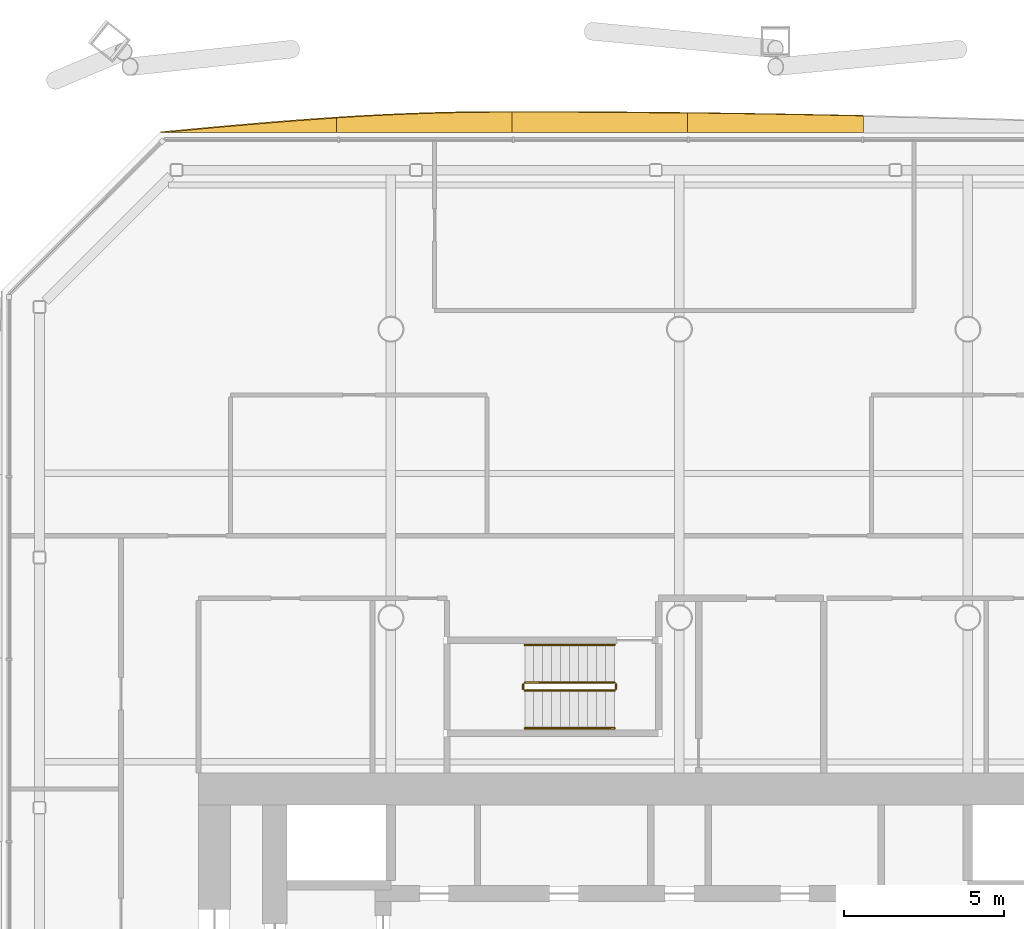
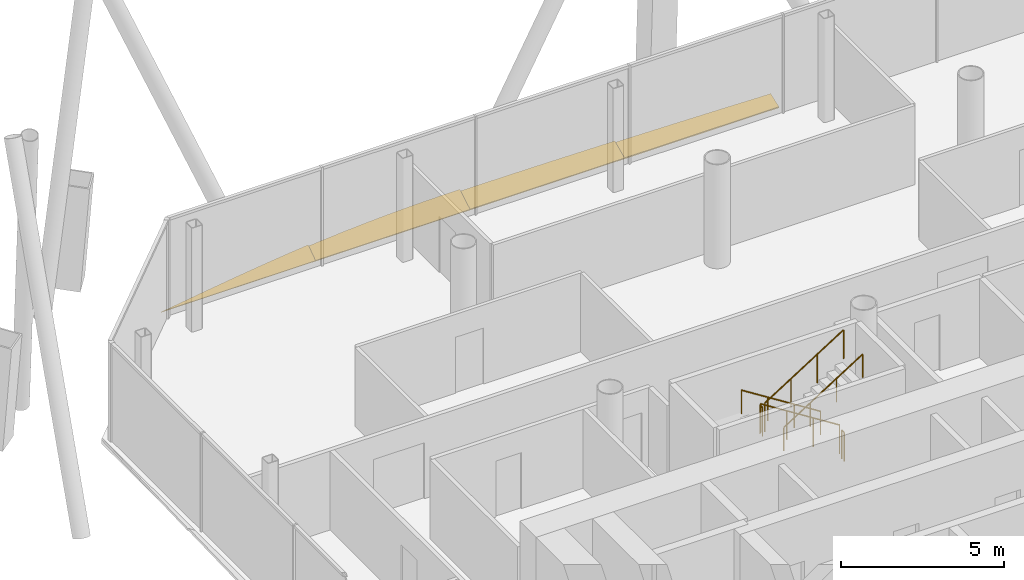
# One storey, part 21 of 22: 6 railings, 4 shading devices.
"""IFC4 building model written with IfcOpenShell, lengths in metres."""

from ifc_helpers import new_model, si_unit, direction, frame, origin, origin_2d, place, context, subcontext, project, spatial, polyline, circle, outline, extrude, material, layer, layer_set, type_object, element, save


model = new_model("IFC4")

# Units and contexts
model_context = context("Model", 3, precision=1e-05, world=origin(), true_north=direction((0.0, 1.0)))
body_context = subcontext(model_context, "Body", "Model", "MODEL_VIEW")
ifc_project = project(units=[si_unit("LENGTHUNIT", "METRE"), si_unit("AREAUNIT", "SQUARE_METRE"), si_unit("VOLUMEUNIT", "CUBIC_METRE"), si_unit("PLANEANGLEUNIT", "RADIAN"), si_unit("MASSUNIT", "GRAM", prefix="KILO")], contexts=[model_context])

# Site, building, storey
site_placement = place(None, origin())
site = spatial("IfcSite", under=ifc_project, at=site_placement, CompositionType="ELEMENT")
building_placement = place(site_placement, origin())
building = spatial("IfcBuilding", under=site, at=building_placement, Name="Tskaro Facet Tower", CompositionType="ELEMENT")
storey_placement = place(building_placement, frame((0.0, 0.0, 97.199951171875)))
storey = spatial("IfcBuildingStorey", under=building, at=storey_placement, Name="L23", CompositionType="ELEMENT", Elevation=97.199951171875)

# Shading devices
ifc_material_1 = material(Name="Bronze anodised aluminium 6063-T6", Category="aluminium")
ifc_layer = layer(ifc_material_1, 0.06005859375, Name="Bronze anodised aluminium 6063-T6")
ifc_layer_set = layer_set([ifc_layer], Name="Bronze anodised aluminium 6063-T6")
shading_device_type = type_object("IfcShadingDeviceType", Name="Bronze sun blade (FN1)", PredefinedType="USERDEFINED", material=ifc_layer_set)
shading_device_1_placement = place(storey_placement, frame((5.740966796875, 24.14453125, 0.056396484375), z_axis=(-4.900444e-06, -0.342141999103, 0.939648259949), x_axis=(-0.999999999988, 1.676648e-06, -4.604694e-06)))
element("IfcShadingDevice", 1, at=shading_device_1_placement, inside=storey, type_object=shading_device_type, Name="Fin blade north 4", ObjectType="FIN", PredefinedType="USERDEFINED", context=body_context, shape_type="SweptSolid", body=[
    extrude(outline(polyline([(0.0, 0.0), (5.481933593684177, -1.1608445921416052e-21), (5.481933594197145, -0.639641906060297), (4.796630858993865, -0.630610315950945), (4.111572265435951, -0.6207234453781905), (3.426269531149222, -0.6100648251035343), (2.7409667970641878, -0.5980921117385419), (2.0556640621604783, -0.5856605857466157), (1.3703613278678037, -0.5721443729778202), (0.6853027348111602, -0.5575434734321554), (3.1084391217017284e-10, -0.5424837612595567), (0.0, 0.0)])), origin(), (0.0, 0.0, -1.0), 0.06005859375),
])
shading_device_2_placement = place(storey_placement, frame((0.259033203125, 24.1396484375, 0.054443359375), z_axis=(-7.104721e-06, -0.422583959194, 0.906323781759), x_axis=(-0.999999999975, 3.002341e-06, -6.439178e-06)))
element("IfcShadingDevice", 2, at=shading_device_2_placement, inside=storey, type_object=shading_device_type, Name="Fin blade north 5", ObjectType="FIN", PredefinedType="USERDEFINED", context=body_context, shape_type="SweptSolid", body=[
    extrude(outline(polyline([(0.0, 0.0), (5.481933593611644, 0.0), (5.481933594051996, -0.7003451150361881), (4.796875000531442, -0.6992536933942116), (4.111572265025985, -0.6971740200221739), (3.4262695304656767, -0.6942241954626961), (2.7409667976895897, -0.6900797793493265), (2.0556640628206004, -0.6847258410513593), (1.37060546794969, -0.6786049214778672), (0.685302734238006, -0.6712894103504834), (-1.0059341654998631e-10, -0.6632069179475748), (0.0, 0.0)])), origin(), (0.0, 0.0, -1.0), 0.06005859375),
])
shading_device_3_placement = place(storey_placement, frame((-5.222900390625, 24.135009765625, 0.052001953125), z_axis=(-3.064414e-06, -0.499977596331, 0.866038338157), x_axis=(-0.999999999995, 1.532138e-06, -2.6539e-06)))
element("IfcShadingDevice", 3, at=shading_device_3_placement, inside=storey, type_object=shading_device_type, Name="Fin blade north 6", ObjectType="FIN", PredefinedType="USERDEFINED", context=body_context, shape_type="SweptSolid", body=[
    extrude(outline(polyline([(0.0, 0.0), (5.48217773434926, -1.1608962909298898e-21), (5.482177734478216, -0.5293934847392026), (4.796875000299719, -0.5778447484600765), (4.111572265667061, -0.6201796609613355), (3.426269530954298, -0.6566096573841319), (2.741210937233976, -0.6859228026352913), (2.0559082029822298, -0.7084525966988208), (1.3706054690979252, -0.7238655395907131), (0.6853027341850231, -0.7318608258715178), (0.2961425781372295, -0.7329506961218377), (1.3619948643188654e-11, -0.7329506961218377), (0.0, 0.0)])), origin(), (0.0, 0.0, -1.0), 0.06005859375),
])
shading_device_4_placement = place(storey_placement, frame((-10.705078125, 24.130615234375, 0.04931640625), z_axis=(-2.3191797e-05, -0.573400034592, 0.8192755335), x_axis=(-0.999999999731, 1.3298177e-05, -1.9000472e-05)))
element("IfcShadingDevice", 4, at=shading_device_4_placement, inside=storey, type_object=shading_device_type, Name="Fin blade north 7", ObjectType="FIN", PredefinedType="USERDEFINED", context=body_context, shape_type="SweptSolid", body=[
    extrude(outline(polyline([(0.0, 0.0), (5.4819335922757455, 0.0), (4.7966308598028355, -0.07802304594563796), (4.111328126867624, -0.15516605608301076), (3.4262695322405823, -0.230889003287561), (2.740966794209539, -0.30431185175102354), (2.0556640608225387, -0.374614593863125), (1.3703613269784936, -0.4410571840584583), (0.6850585922151018, -0.5027595865287582), (-2.8427027474323534e-09, -0.5597218012740247), (0.0, 0.0)])), origin(), (0.0, 0.0, -1.0), 0.06005859375),
])

# Railings
ifc_material_2 = material(Name="Stainless steel", Category="steel")
railing_type_1 = type_object("IfcRailingType", Name="RL-GUARD-1100", PredefinedType="GUARDRAIL", material=ifc_material_2)
railing_1_placement = place(storey_placement, frame((-2.02490234375, 6.97509765625, 0.17724609375)))
element("IfcRailing", 5, at=railing_1_placement, inside=storey, type_object=railing_type_1, Name="L23 ST-3 stair guard 1", PredefinedType="GUARDRAIL", context=body_context, shape_type="SweptSolid", body=[
    extrude(circle(Radius=0.02392578125, at=origin_2d()), frame((0.0, 0.0, 1.076171875), z_axis=(-0.844908973607, 0.0, 0.534910110503), x_axis=(0.0, -1.0, 0.0)), (0.0, 0.0, 1.0), 3.31396484375),
    extrude(circle(Radius=0.02099609375, at=origin_2d()), origin(), (0.0, 0.0, 1.0), 1.052001953125),
    extrude(circle(Radius=0.02099609375, at=origin_2d()), frame((-0.933349609375, 0.0, 0.5908203125)), (0.0, 0.0, 1.0), 1.052001953125),
    extrude(circle(Radius=0.02099609375, at=origin_2d()), frame((-1.86669921875, 0.0, 1.181884765625)), (0.0, 0.0, 1.0), 1.052001953125),
    extrude(circle(Radius=0.02099609375, at=origin_2d()), frame((-2.800048828125, 0.0, 1.772705078125)), (0.0, 0.0, 1.0), 1.052001953125),
])
railing_2_placement = place(storey_placement, frame((-4.875, 6.925048828125, 1.949951171875)))
element("IfcRailing", 6, at=railing_2_placement, inside=storey, type_object=railing_type_1, Name="L23 ST-3 stair guard 2", PredefinedType="GUARDRAIL", context=body_context, shape_type="SweptSolid", body=[
    extrude(circle(Radius=0.02392578125, at=origin_2d()), frame((0.0, 0.0, 1.076171875), z_axis=(0.0, -1.0, 0.0), x_axis=(1.0, 0.0, 0.0)), (0.0, 0.0, 1.0), 0.150146484375),
    extrude(circle(Radius=0.02099609375, at=origin_2d()), origin(), (0.0, 0.0, 1.0), 1.052001953125),
    extrude(circle(Radius=0.02099609375, at=origin_2d()), frame((0.0, -0.150146484375, 0.0)), (0.0, 0.0, 1.0), 1.052001953125),
])
railing_3_placement = place(storey_placement, frame((-4.824951171875, 6.72509765625, 2.12744140625)))
element("IfcRailing", 7, at=railing_3_placement, inside=storey, type_object=railing_type_1, Name="L23 ST-3 stair guard 3", PredefinedType="GUARDRAIL", context=body_context, shape_type="SweptSolid", body=[
    extrude(circle(Radius=0.02392578125, at=origin_2d()), frame((0.0, 0.0, 1.076171875), z_axis=(0.844908973607, 0.0, 0.534910110503), x_axis=(0.0, 1.0, 0.0)), (0.0, 0.0, 1.0), 3.31396484375),
    extrude(circle(Radius=0.02099609375, at=origin_2d()), origin(), (0.0, 0.0, 1.0), 1.052001953125),
    extrude(circle(Radius=0.02099609375, at=origin_2d()), frame((0.933349609375, 0.0, 0.5908203125)), (0.0, 0.0, 1.0), 1.052001953125),
    extrude(circle(Radius=0.02099609375, at=origin_2d()), frame((1.86669921875, 0.0, 1.181884765625)), (0.0, 0.0, 1.0), 1.052001953125),
    extrude(circle(Radius=0.02099609375, at=origin_2d()), frame((2.800048828125, 0.0, 1.772705078125)), (0.0, 0.0, 1.0), 1.052001953125),
])
railing_4_placement = place(storey_placement, frame((-1.97509765625, 6.925048828125, 0.0)))
element("IfcRailing", 8, at=railing_4_placement, inside=storey, type_object=railing_type_1, Name="L23 ST-3 stair guard 4", PredefinedType="GUARDRAIL", context=body_context, shape_type="SweptSolid", body=[
    extrude(circle(Radius=0.02392578125, at=origin_2d()), frame((0.0, 0.0, 1.076171875), z_axis=(0.0, -1.0, 0.0), x_axis=(1.0, 0.0, 0.0)), (0.0, 0.0, 1.0), 0.150146484375),
    extrude(circle(Radius=0.02099609375, at=origin_2d()), origin(), (0.0, 0.0, 1.0), 1.052001953125),
    extrude(circle(Radius=0.02099609375, at=origin_2d()), frame((0.0, -0.150146484375, 0.0)), (0.0, 0.0, 1.0), 1.052001953125),
])
railing_type_2 = type_object("IfcRailingType", Name="RL-HANDRAIL-900", PredefinedType="HANDRAIL", material=ifc_material_2)
railing_5_placement = place(storey_placement, frame((-2.02490234375, 8.14990234375, 0.17724609375)))
element("IfcRailing", 9, at=railing_5_placement, inside=storey, type_object=railing_type_2, Name="L23 ST-3 stair handrail 1", PredefinedType="HANDRAIL", context=body_context, shape_type="SweptSolid", body=[
    extrude(circle(Radius=0.02392578125, at=origin_2d()), frame((0.0, 0.0, 0.8759765625), z_axis=(-0.844908973607, 0.0, 0.534910110503), x_axis=(0.0, -1.0, 0.0)), (0.0, 0.0, 1.0), 3.31396484375),
    extrude(circle(Radius=0.02099609375, at=origin_2d()), origin(), (0.0, 0.0, 1.0), 0.851806640625),
    extrude(circle(Radius=0.02099609375, at=origin_2d()), frame((-0.933349609375, 0.0, 0.5908203125)), (0.0, 0.0, 1.0), 0.851806640625),
    extrude(circle(Radius=0.02099609375, at=origin_2d()), frame((-1.86669921875, 0.0, 1.181884765625)), (0.0, 0.0, 1.0), 0.851806640625),
    extrude(circle(Radius=0.02099609375, at=origin_2d()), frame((-2.800048828125, 0.0, 1.772705078125)), (0.0, 0.0, 1.0), 0.851806640625),
])
railing_6_placement = place(storey_placement, frame((-4.824951171875, 5.550048828125, 2.12744140625)))
element("IfcRailing", 10, at=railing_6_placement, inside=storey, type_object=railing_type_2, Name="L23 ST-3 stair handrail 2", PredefinedType="HANDRAIL", context=body_context, shape_type="SweptSolid", body=[
    extrude(circle(Radius=0.02392578125, at=origin_2d()), frame((0.0, 0.0, 0.8759765625), z_axis=(0.844908973607, 0.0, 0.534910110503), x_axis=(0.0, 1.0, 0.0)), (0.0, 0.0, 1.0), 3.31396484375),
    extrude(circle(Radius=0.02099609375, at=origin_2d()), origin(), (0.0, 0.0, 1.0), 0.851806640625),
    extrude(circle(Radius=0.02099609375, at=origin_2d()), frame((0.933349609375, 0.0, 0.5908203125)), (0.0, 0.0, 1.0), 0.851806640625),
    extrude(circle(Radius=0.02099609375, at=origin_2d()), frame((1.86669921875, 0.0, 1.181884765625)), (0.0, 0.0, 1.0), 0.851806640625),
    extrude(circle(Radius=0.02099609375, at=origin_2d()), frame((2.800048828125, 0.0, 1.772705078125)), (0.0, 0.0, 1.0), 0.851806640625),
])

save(model, "model.ifc")
